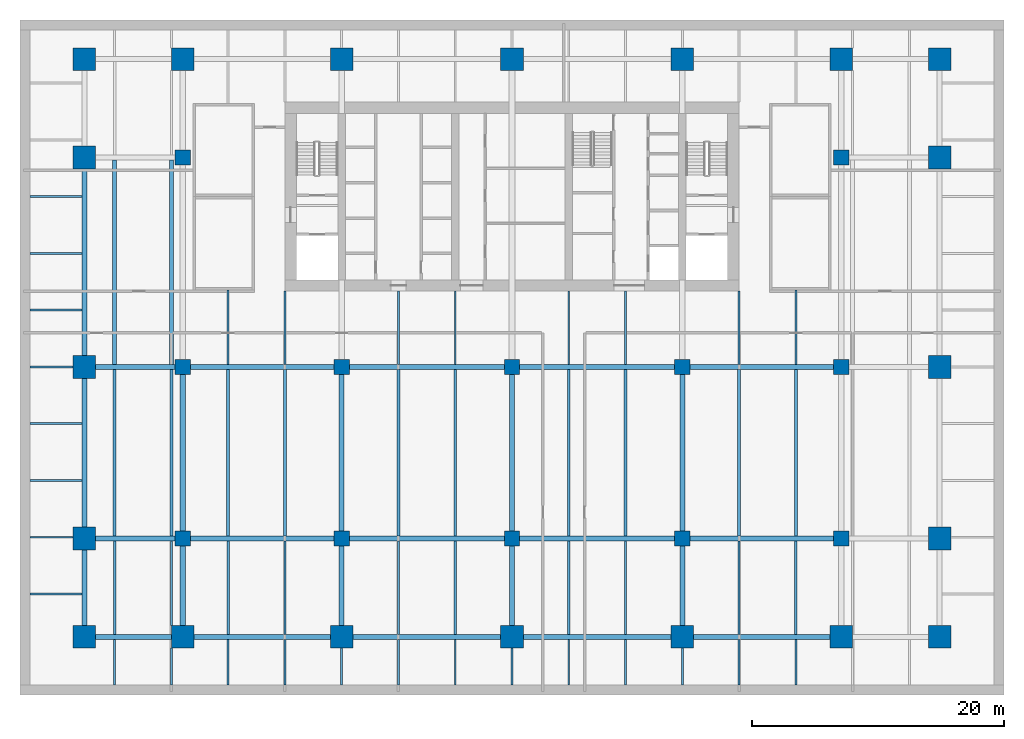
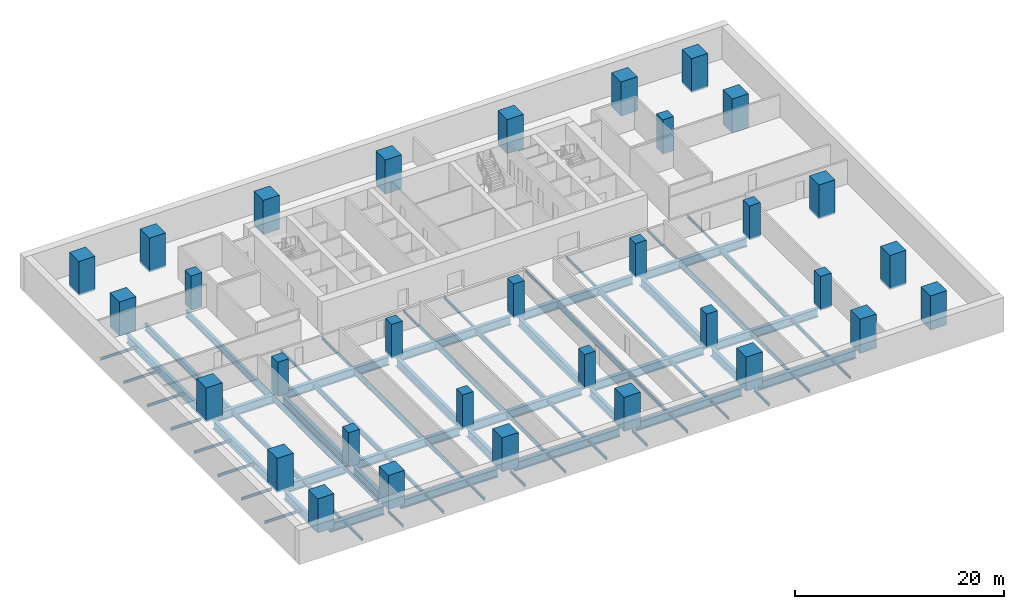
# One storey, part 1 of 10: 77 beams, 32 columns.
"""IFC4 building model written with IfcOpenShell, lengths in metres."""

from ifc_helpers import new_model, si_unit, direction, frame, origin, origin_2d, place, context, subcontext, project, spatial, rectangle, i_section, extrude, material, material_profile, profile_set, type_object, element, save


model = new_model("IFC4")

# Units and contexts
model_context = context("Model", 3, precision=1e-05, world=origin(), true_north=direction((0.0, 1.0)))
body_context = subcontext(model_context, "Body", "Model", "MODEL_VIEW")
ifc_project = project(units=[si_unit("LENGTHUNIT", "METRE"), si_unit("AREAUNIT", "SQUARE_METRE"), si_unit("VOLUMEUNIT", "CUBIC_METRE"), si_unit("PLANEANGLEUNIT", "RADIAN"), si_unit("MASSUNIT", "GRAM", prefix="KILO")], contexts=[model_context])

# Site, building, storey
site_placement = place(None, origin())
site = spatial("IfcSite", under=ifc_project, at=site_placement, CompositionType="ELEMENT")
building_placement = place(site_placement, origin())
building = spatial("IfcBuilding", under=site, at=building_placement, Name="Rattan Terrace Tower", CompositionType="ELEMENT")
storey_placement = place(building_placement, frame((0.0, 0.0, -9.5)))
storey = spatial("IfcBuildingStorey", under=building, at=storey_placement, Name="B2", CompositionType="ELEMENT", Elevation=-9.5)

# Columns
ifc_material_1 = material(Name="Concrete C60/75", Category="concrete")
ifc_material_profile_1 = material_profile(ifc_material_1, rectangle(XDim=1.800048828125, YDim=1.800048828125, at=origin_2d()), Name="CFT 1800x1800")
ifc_profile_set_1 = profile_set([ifc_material_profile_1], Name="Concrete C60/75")
column_type_1 = type_object("IfcColumnType", Name="Frame exoskeleton column CFT 1800x1800", PredefinedType="COLUMN", material=ifc_profile_set_1)
for number, where, z_axis, x_axis, name in (
    (1, (-33.89990234375, -34.89990234375, -0.199951171875), (0.0, 0.0, 1.0), (1.0, 0.0, 0.0), "exo-B2-001"),
    (2, (33.89990234375, -34.89990234375, -0.199951171875), (0.0, 0.0, 1.0), (1.0, 0.0, 0.0), "exo-B2-002"),
    (3, (-33.89990234375, 10.89990234375, -0.199951171875), (0.0, 0.0, 1.0), (1.0, 0.0, 0.0), "exo-B2-003"),
    (4, (33.89990234375, 10.89990234375, -0.199951171875), (0.0, 0.0, 1.0), (1.0, 0.0, 0.0), "exo-B2-004"),
    (5, (-26.10009765625, -34.89990234375, -0.199951171875), (0.0, 0.0, 1.0), (1.0, 0.0, 0.0), "exo-B2-005"),
    (6, (-13.5, -34.89990234375, -0.199951171875), (0.0, 0.0, 1.0), (1.0, 0.0, 0.0), "exo-B2-006"),
    (7, (0.0, -34.89990234375, -0.199951171875), (0.0, 0.0, 1.0), (1.0, 0.0, 0.0), "exo-B2-007"),
    (8, (13.5, -34.89990234375, -0.199951171875), (0.0, 0.0, 1.0), (1.0, 0.0, 0.0), "exo-B2-008"),
    (9, (26.10009765625, -34.89990234375, -0.199951171875), (0.0, 0.0, 1.0), (1.0, 0.0, 0.0), "exo-B2-009"),
    (10, (-33.89990234375, -27.10009765625, -0.199951171875), (0.0, 0.0, 1.0), (0.0, 1.0, 0.0), "exo-B2-010"),
    (11, (33.89990234375, -27.10009765625, -0.199951171875), (0.0, 0.0, 1.0), (0.0, 1.0, 0.0), "exo-B2-011"),
    (12, (-33.89990234375, -13.5, -0.199951171875), (0.0, 0.0, 1.0), (0.0, 1.0, 0.0), "exo-B2-012"),
    (13, (33.89990234375, -13.5, -0.199951171875), (0.0, 0.0, 1.0), (0.0, 1.0, 0.0), "exo-B2-013"),
    (14, (-33.89990234375, 3.10009765625, -0.199951171875), (0.0, 0.0, 1.0), (0.0, 1.0, 0.0), "exo-B2-014"),
    (15, (33.89990234375, 3.10009765625, -0.199951171875), (0.0, 0.0, 1.0), (0.0, 1.0, 0.0), "exo-B2-015"),
    (16, (-26.10009765625, 10.89990234375, -0.199951171875), (0.0, 0.0, 1.0), (1.0, 0.0, 0.0), "exo-B2-016"),
    (17, (-13.5, 10.89990234375, -0.199951171875), (0.0, 0.0, 1.0), (1.0, 0.0, 0.0), "exo-B2-017"),
    (18, (0.0, 10.89990234375, -0.199951171875), (0.0, 0.0, 1.0), (1.0, 0.0, 0.0), "exo-B2-018"),
    (19, (13.5, 10.89990234375, -0.199951171875), (0.0, 0.0, 1.0), (1.0, 0.0, 0.0), "exo-B2-019"),
    (20, (26.10009765625, 10.89990234375, -0.199951171875), (0.0, 0.0, 1.0), (1.0, 0.0, 0.0), "exo-B2-020"),
):
    element("IfcColumn", number, at=place(storey_placement, frame(where, z_axis=z_axis, x_axis=x_axis)), inside=storey, type_object=column_type_1, Name=name, PredefinedType="COLUMN", context=body_context, shape_type="SweptSolid", body=[
        extrude(rectangle(XDim=1.800048828125, YDim=1.800048828125, at=origin_2d()), origin(), (0.0, 0.0, 1.0), 4.0),
    ])
ifc_material_2 = material(Name="Concrete C60/75", Category="concrete")
ifc_material_profile_2 = material_profile(ifc_material_2, rectangle(XDim=1.199951171875, YDim=1.199951171875, at=origin_2d()), Name="RC 1200x1200")
ifc_profile_set_2 = profile_set([ifc_material_profile_2], Name="Concrete C60/75")
column_type_2 = type_object("IfcColumnType", Name="Frame interior column RC 1200x1200", PredefinedType="COLUMN", material=ifc_profile_set_2)
for number, where, z_axis, x_axis, name in (
    (21, (-26.10009765625, -27.10009765625, -0.199951171875), (0.0, 0.0, 1.0), (1.0, 0.0, 0.0), "col-B2-001"),
    (22, (-13.5, -27.10009765625, -0.199951171875), (0.0, 0.0, 1.0), (1.0, 0.0, 0.0), "col-B2-002"),
    (23, (0.0, -27.10009765625, -0.199951171875), (0.0, 0.0, 1.0), (1.0, 0.0, 0.0), "col-B2-003"),
    (24, (13.5, -27.10009765625, -0.199951171875), (0.0, 0.0, 1.0), (1.0, 0.0, 0.0), "col-B2-004"),
    (25, (26.10009765625, -27.10009765625, -0.199951171875), (0.0, 0.0, 1.0), (1.0, 0.0, 0.0), "col-B2-005"),
    (26, (-26.10009765625, -13.5, -0.199951171875), (0.0, 0.0, 1.0), (1.0, 0.0, 0.0), "col-B2-006"),
    (27, (-13.5, -13.5, -0.199951171875), (0.0, 0.0, 1.0), (1.0, 0.0, 0.0), "col-B2-007"),
    (28, (0.0, -13.5, -0.199951171875), (0.0, 0.0, 1.0), (1.0, 0.0, 0.0), "col-B2-008"),
    (29, (13.5, -13.5, -0.199951171875), (0.0, 0.0, 1.0), (1.0, 0.0, 0.0), "col-B2-009"),
    (30, (26.10009765625, -13.5, -0.199951171875), (0.0, 0.0, 1.0), (1.0, 0.0, 0.0), "col-B2-010"),
    (31, (-26.10009765625, 3.10009765625, -0.199951171875), (0.0, 0.0, 1.0), (1.0, 0.0, 0.0), "col-B2-011"),
    (32, (26.10009765625, 3.10009765625, -0.199951171875), (0.0, 0.0, 1.0), (1.0, 0.0, 0.0), "col-B2-012"),
):
    element("IfcColumn", number, at=place(storey_placement, frame(where, z_axis=z_axis, x_axis=x_axis)), inside=storey, type_object=column_type_2, Name=name, PredefinedType="COLUMN", context=body_context, shape_type="SweptSolid", body=[
        extrude(rectangle(XDim=1.199951171875, YDim=1.199951171875, at=origin_2d()), origin(), (0.0, 0.0, 1.0), 4.0),
    ])

# Beams
ifc_material_3 = material(Name="Steel S355", Category="steel")
ifc_material_profile_3 = material_profile(ifc_material_3, i_section(OverallWidth=0.300048828125, OverallDepth=0.800048828125, WebThickness=0.017578125, FlangeThickness=0.032958984375, FilletRadius=0.030029296875, at=origin_2d()), Name="HE 800 B")
ifc_profile_set_3 = profile_set([ifc_material_profile_3], Name="Steel S355")
beam_type_1 = type_object("IfcBeamType", Name="Frame floor beam HE 800 B", PredefinedType="JOIST", material=ifc_profile_set_3)
for number, where, z_axis, x_axis, name in (
    (33, (-31.5, -13.300048828125, -0.60009765625), (0.0, 1.0, 0.0), (-1.0, 0.0, 0.0), "bm-B2-052"),
    (34, (-27.0, -13.300048828125, -0.60009765625), (0.0, 1.0, 0.0), (-1.0, 0.0, 0.0), "bm-B2-053"),
):
    element("IfcBeam", number, at=place(storey_placement, frame(where, z_axis=z_axis, x_axis=x_axis)), inside=storey, type_object=beam_type_1, Name=name, PredefinedType="JOIST", context=body_context, shape_type="SweptSolid", body=[
        extrude(i_section(OverallWidth=0.300048828125, OverallDepth=0.800048828125, WebThickness=0.017578125, FlangeThickness=0.032958984375, FilletRadius=0.030029296875, at=origin_2d()), origin(), (0.0, 0.0, 1.0), 16.199951171875),
    ])
ifc_material_4 = material(Name="Steel S355", Category="steel")
ifc_material_profile_4 = material_profile(ifc_material_4, i_section(OverallWidth=0.14990234375, OverallDepth=0.300048828125, WebThickness=0.007080078125, FlangeThickness=0.0107421875, FilletRadius=0.014892578125, at=origin_2d()), Name="IPE 300")
ifc_profile_set_4 = profile_set([ifc_material_profile_4], Name="Steel S355")
beam_type_2 = type_object("IfcBeamType", Name="Frame floor beam IPE 300", PredefinedType="JOIST", material=ifc_profile_set_4)
beam_1_placement = place(storey_placement, frame((-31.5, -38.699951171875, -0.35009765625), z_axis=(0.0, 1.0, 0.0), x_axis=(-1.0, 0.0, 0.0)))
element("IfcBeam", 35, at=beam_1_placement, inside=storey, type_object=beam_type_2, Name="bm-B2-003", PredefinedType="JOIST", context=body_context, shape_type="SweptSolid", body=[
    extrude(i_section(OverallWidth=0.14990234375, OverallDepth=0.300048828125, WebThickness=0.007080078125, FlangeThickness=0.0107421875, FilletRadius=0.014892578125, at=origin_2d()), origin(), (0.0, 0.0, 1.0), 3.599853515625),
])
beam_2_placement = place(storey_placement, frame((-27.0, -38.699951171875, -0.35009765625), z_axis=(0.0, 1.0, 0.0), x_axis=(-1.0, 0.0, 0.0)))
element("IfcBeam", 36, at=beam_2_placement, inside=storey, type_object=beam_type_2, Name="bm-B2-004", PredefinedType="JOIST", context=body_context, shape_type="SweptSolid", body=[
    extrude(i_section(OverallWidth=0.14990234375, OverallDepth=0.300048828125, WebThickness=0.007080078125, FlangeThickness=0.0107421875, FilletRadius=0.014892578125, at=origin_2d()), origin(), (0.0, 0.0, 1.0), 2.89990234375),
])
for number, where, z_axis, x_axis, name in (
    (37, (-22.5, -38.699951171875, -0.35009765625), (0.0, 1.0, 0.0), (-1.0, 0.0, 0.0), "bm-B2-005"),
    (38, (-18.0, -38.699951171875, -0.35009765625), (0.0, 1.0, 0.0), (-1.0, 0.0, 0.0), "bm-B2-006"),
):
    element("IfcBeam", number, at=place(storey_placement, frame(where, z_axis=z_axis, x_axis=x_axis)), inside=storey, type_object=beam_type_2, Name=name, PredefinedType="JOIST", context=body_context, shape_type="SweptSolid", body=[
        extrude(i_section(OverallWidth=0.14990234375, OverallDepth=0.300048828125, WebThickness=0.007080078125, FlangeThickness=0.0107421875, FilletRadius=0.014892578125, at=origin_2d()), origin(), (0.0, 0.0, 1.0), 3.599853515625),
    ])
beam_3_placement = place(storey_placement, frame((-13.5, -38.699951171875, -0.35009765625), z_axis=(0.0, 1.0, 0.0), x_axis=(-1.0, 0.0, 0.0)))
element("IfcBeam", 39, at=beam_3_placement, inside=storey, type_object=beam_type_2, Name="bm-B2-007", PredefinedType="JOIST", context=body_context, shape_type="SweptSolid", body=[
    extrude(i_section(OverallWidth=0.14990234375, OverallDepth=0.300048828125, WebThickness=0.007080078125, FlangeThickness=0.0107421875, FilletRadius=0.014892578125, at=origin_2d()), origin(), (0.0, 0.0, 1.0), 2.89990234375),
])
for number, where, z_axis, x_axis, name in (
    (40, (-9.0, -38.699951171875, -0.35009765625), (0.0, 1.0, 0.0), (-1.0, 0.0, 0.0), "bm-B2-008"),
    (41, (-4.5, -38.699951171875, -0.35009765625), (0.0, 1.0, 0.0), (-1.0, 0.0, 0.0), "bm-B2-009"),
):
    element("IfcBeam", number, at=place(storey_placement, frame(where, z_axis=z_axis, x_axis=x_axis)), inside=storey, type_object=beam_type_2, Name=name, PredefinedType="JOIST", context=body_context, shape_type="SweptSolid", body=[
        extrude(i_section(OverallWidth=0.14990234375, OverallDepth=0.300048828125, WebThickness=0.007080078125, FlangeThickness=0.0107421875, FilletRadius=0.014892578125, at=origin_2d()), origin(), (0.0, 0.0, 1.0), 3.599853515625),
    ])
beam_4_placement = place(storey_placement, frame((0.0, -38.699951171875, -0.35009765625), z_axis=(0.0, 1.0, 0.0), x_axis=(-1.0, 0.0, 0.0)))
element("IfcBeam", 42, at=beam_4_placement, inside=storey, type_object=beam_type_2, Name="bm-B2-010", PredefinedType="JOIST", context=body_context, shape_type="SweptSolid", body=[
    extrude(i_section(OverallWidth=0.14990234375, OverallDepth=0.300048828125, WebThickness=0.007080078125, FlangeThickness=0.0107421875, FilletRadius=0.014892578125, at=origin_2d()), origin(), (0.0, 0.0, 1.0), 2.89990234375),
])
for number, where, z_axis, x_axis, name in (
    (43, (4.5, -38.699951171875, -0.35009765625), (0.0, 1.0, 0.0), (-1.0, 0.0, 0.0), "bm-B2-011"),
    (44, (9.0, -38.699951171875, -0.35009765625), (0.0, 1.0, 0.0), (-1.0, 0.0, 0.0), "bm-B2-012"),
):
    element("IfcBeam", number, at=place(storey_placement, frame(where, z_axis=z_axis, x_axis=x_axis)), inside=storey, type_object=beam_type_2, Name=name, PredefinedType="JOIST", context=body_context, shape_type="SweptSolid", body=[
        extrude(i_section(OverallWidth=0.14990234375, OverallDepth=0.300048828125, WebThickness=0.007080078125, FlangeThickness=0.0107421875, FilletRadius=0.014892578125, at=origin_2d()), origin(), (0.0, 0.0, 1.0), 3.599853515625),
    ])
beam_5_placement = place(storey_placement, frame((13.5, -38.699951171875, -0.35009765625), z_axis=(0.0, 1.0, 0.0), x_axis=(-1.0, 0.0, 0.0)))
element("IfcBeam", 45, at=beam_5_placement, inside=storey, type_object=beam_type_2, Name="bm-B2-013", PredefinedType="JOIST", context=body_context, shape_type="SweptSolid", body=[
    extrude(i_section(OverallWidth=0.14990234375, OverallDepth=0.300048828125, WebThickness=0.007080078125, FlangeThickness=0.0107421875, FilletRadius=0.014892578125, at=origin_2d()), origin(), (0.0, 0.0, 1.0), 2.89990234375),
])
for number, where, z_axis, x_axis, name in (
    (46, (18.0, -38.699951171875, -0.35009765625), (0.0, 1.0, 0.0), (-1.0, 0.0, 0.0), "bm-B2-014"),
    (47, (22.5, -38.699951171875, -0.35009765625), (0.0, 1.0, 0.0), (-1.0, 0.0, 0.0), "bm-B2-015"),
):
    element("IfcBeam", number, at=place(storey_placement, frame(where, z_axis=z_axis, x_axis=x_axis)), inside=storey, type_object=beam_type_2, Name=name, PredefinedType="JOIST", context=body_context, shape_type="SweptSolid", body=[
        extrude(i_section(OverallWidth=0.14990234375, OverallDepth=0.300048828125, WebThickness=0.007080078125, FlangeThickness=0.0107421875, FilletRadius=0.014892578125, at=origin_2d()), origin(), (0.0, 0.0, 1.0), 3.599853515625),
    ])
beam_6_placement = place(storey_placement, frame((-38.199951171875, -31.5, -0.35009765625), z_axis=(1.0, 0.0, 0.0), x_axis=(0.0, 1.0, 0.0)))
element("IfcBeam", 48, at=beam_6_placement, inside=storey, type_object=beam_type_2, Name="bm-B2-030", PredefinedType="JOIST", context=body_context, shape_type="SweptSolid", body=[
    extrude(i_section(OverallWidth=0.14990234375, OverallDepth=0.300048828125, WebThickness=0.007080078125, FlangeThickness=0.0107421875, FilletRadius=0.014892578125, at=origin_2d()), origin(), (0.0, 0.0, 1.0), 4.099853515625),
])
beam_7_placement = place(storey_placement, frame((-38.199951171875, -27.0, -0.35009765625), z_axis=(1.0, 0.0, 0.0), x_axis=(0.0, 1.0, 0.0)))
element("IfcBeam", 49, at=beam_7_placement, inside=storey, type_object=beam_type_2, Name="bm-B2-032", PredefinedType="JOIST", context=body_context, shape_type="SweptSolid", body=[
    extrude(i_section(OverallWidth=0.14990234375, OverallDepth=0.300048828125, WebThickness=0.007080078125, FlangeThickness=0.0107421875, FilletRadius=0.014892578125, at=origin_2d()), origin(), (0.0, 0.0, 1.0), 3.39990234375),
])
for number, where, z_axis, x_axis, name in (
    (50, (-38.199951171875, -22.5, -0.35009765625), (1.0, 0.0, 0.0), (0.0, 1.0, 0.0), "bm-B2-046"),
    (51, (-38.199951171875, -18.0, -0.35009765625), (1.0, 0.0, 0.0), (0.0, 1.0, 0.0), "bm-B2-048"),
):
    element("IfcBeam", number, at=place(storey_placement, frame(where, z_axis=z_axis, x_axis=x_axis)), inside=storey, type_object=beam_type_2, Name=name, PredefinedType="JOIST", context=body_context, shape_type="SweptSolid", body=[
        extrude(i_section(OverallWidth=0.14990234375, OverallDepth=0.300048828125, WebThickness=0.007080078125, FlangeThickness=0.0107421875, FilletRadius=0.014892578125, at=origin_2d()), origin(), (0.0, 0.0, 1.0), 4.099853515625),
    ])
beam_8_placement = place(storey_placement, frame((-38.199951171875, -13.5, -0.35009765625), z_axis=(1.0, 0.0, 0.0), x_axis=(0.0, 1.0, 0.0)))
element("IfcBeam", 52, at=beam_8_placement, inside=storey, type_object=beam_type_2, Name="bm-B2-050", PredefinedType="JOIST", context=body_context, shape_type="SweptSolid", body=[
    extrude(i_section(OverallWidth=0.14990234375, OverallDepth=0.300048828125, WebThickness=0.007080078125, FlangeThickness=0.0107421875, FilletRadius=0.014892578125, at=origin_2d()), origin(), (0.0, 0.0, 1.0), 3.39990234375),
])
beam_9_placement = place(storey_placement, frame((-22.5, -13.300048828125, -0.35009765625), z_axis=(0.0, 1.0, 0.0), x_axis=(-1.0, 0.0, 0.0)))
element("IfcBeam", 53, at=beam_9_placement, inside=storey, type_object=beam_type_2, Name="bm-B2-054", PredefinedType="JOIST", context=body_context, shape_type="SweptSolid", body=[
    extrude(i_section(OverallWidth=0.14990234375, OverallDepth=0.300048828125, WebThickness=0.007080078125, FlangeThickness=0.0107421875, FilletRadius=0.014892578125, at=origin_2d()), origin(), (0.0, 0.0, 1.0), 5.900146484375),
])
for number, where, z_axis, x_axis, name in (
    (54, (-18.0, -13.300048828125, -0.35009765625), (0.0, 1.0, 0.0), (-1.0, 0.0, 0.0), "bm-B2-055"),
    (55, (-9.0, -13.300048828125, -0.35009765625), (0.0, 1.0, 0.0), (-1.0, 0.0, 0.0), "bm-B2-056"),
    (56, (-4.5, -13.300048828125, -0.35009765625), (0.0, 1.0, 0.0), (-1.0, 0.0, 0.0), "bm-B2-057"),
    (57, (4.5, -13.300048828125, -0.35009765625), (0.0, 1.0, 0.0), (-1.0, 0.0, 0.0), "bm-B2-058"),
    (58, (9.0, -13.300048828125, -0.35009765625), (0.0, 1.0, 0.0), (-1.0, 0.0, 0.0), "bm-B2-059"),
    (59, (18.0, -13.300048828125, -0.35009765625), (0.0, 1.0, 0.0), (-1.0, 0.0, 0.0), "bm-B2-060"),
):
    element("IfcBeam", number, at=place(storey_placement, frame(where, z_axis=z_axis, x_axis=x_axis)), inside=storey, type_object=beam_type_2, Name=name, PredefinedType="JOIST", context=body_context, shape_type="SweptSolid", body=[
        extrude(i_section(OverallWidth=0.14990234375, OverallDepth=0.300048828125, WebThickness=0.007080078125, FlangeThickness=0.0107421875, FilletRadius=0.014892578125, at=origin_2d()), origin(), (0.0, 0.0, 1.0), 5.800048828125),
    ])
beam_10_placement = place(storey_placement, frame((22.5, -13.300048828125, -0.35009765625), z_axis=(0.0, 1.0, 0.0), x_axis=(-1.0, 0.0, 0.0)))
element("IfcBeam", 60, at=beam_10_placement, inside=storey, type_object=beam_type_2, Name="bm-B2-061", PredefinedType="JOIST", context=body_context, shape_type="SweptSolid", body=[
    extrude(i_section(OverallWidth=0.14990234375, OverallDepth=0.300048828125, WebThickness=0.007080078125, FlangeThickness=0.0107421875, FilletRadius=0.014892578125, at=origin_2d()), origin(), (0.0, 0.0, 1.0), 5.900146484375),
])
for number, where, z_axis, x_axis, name in (
    (61, (-38.199951171875, -9.0, -0.35009765625), (1.0, 0.0, 0.0), (0.0, 1.0, 0.0), "bm-B2-064"),
    (62, (-38.199951171875, -4.5, -0.35009765625), (1.0, 0.0, 0.0), (0.0, 1.0, 0.0), "bm-B2-066"),
    (63, (-38.199951171875, 0.0, -0.35009765625), (1.0, 0.0, 0.0), (0.0, 1.0, 0.0), "bm-B2-068"),
):
    element("IfcBeam", number, at=place(storey_placement, frame(where, z_axis=z_axis, x_axis=x_axis)), inside=storey, type_object=beam_type_2, Name=name, PredefinedType="JOIST", context=body_context, shape_type="SweptSolid", body=[
        extrude(i_section(OverallWidth=0.14990234375, OverallDepth=0.300048828125, WebThickness=0.007080078125, FlangeThickness=0.0107421875, FilletRadius=0.014892578125, at=origin_2d()), origin(), (0.0, 0.0, 1.0), 4.099853515625),
    ])
ifc_material_5 = material(Name="Steel S355", Category="steel")
ifc_material_profile_5 = material_profile(ifc_material_5, i_section(OverallWidth=0.169921875, OverallDepth=0.360107421875, WebThickness=0.008056640625, FlangeThickness=0.0126953125, FilletRadius=0.01806640625, at=origin_2d()), Name="IPE 360")
ifc_profile_set_5 = profile_set([ifc_material_profile_5], Name="Steel S355")
beam_type_3 = type_object("IfcBeamType", Name="Frame floor beam IPE 360", PredefinedType="JOIST", material=ifc_profile_set_5)
beam_11_placement = place(storey_placement, frame((-27.0, -34.0, -0.3798828125), z_axis=(0.0, 1.0, 0.0), x_axis=(-1.0, 0.0, 0.0)))
element("IfcBeam", 64, at=beam_11_placement, inside=storey, type_object=beam_type_3, Name="bm-B2-028", PredefinedType="JOIST", context=body_context, shape_type="SweptSolid", body=[
    extrude(i_section(OverallWidth=0.169921875, OverallDepth=0.360107421875, WebThickness=0.008056640625, FlangeThickness=0.0126953125, FilletRadius=0.01806640625, at=origin_2d()), origin(), (0.0, 0.0, 1.0), 6.699951171875),
])
ifc_material_6 = material(Name="Steel S355", Category="steel")
ifc_material_profile_6 = material_profile(ifc_material_6, i_section(OverallWidth=0.179931640625, OverallDepth=0.39990234375, WebThickness=0.008544921875, FlangeThickness=0.013427734375, FilletRadius=0.02099609375, at=origin_2d()), Name="IPE 400")
ifc_profile_set_6 = profile_set([ifc_material_profile_6], Name="Steel S355")
beam_type_4 = type_object("IfcBeamType", Name="Frame floor beam IPE 400", PredefinedType="JOIST", material=ifc_profile_set_6)
for number, where, z_axis, x_axis, name in (
    (65, (-31.5, -34.699951171875, -0.39990234375), (0.0, 1.0, 0.0), (-1.0, 0.0, 0.0), "bm-B2-018"),
    (66, (-22.5, -34.699951171875, -0.39990234375), (0.0, 1.0, 0.0), (-1.0, 0.0, 0.0), "bm-B2-019"),
    (67, (-18.0, -34.699951171875, -0.39990234375), (0.0, 1.0, 0.0), (-1.0, 0.0, 0.0), "bm-B2-020"),
    (68, (-9.0, -34.699951171875, -0.39990234375), (0.0, 1.0, 0.0), (-1.0, 0.0, 0.0), "bm-B2-021"),
    (69, (-4.5, -34.699951171875, -0.39990234375), (0.0, 1.0, 0.0), (-1.0, 0.0, 0.0), "bm-B2-022"),
    (70, (4.5, -34.699951171875, -0.39990234375), (0.0, 1.0, 0.0), (-1.0, 0.0, 0.0), "bm-B2-023"),
    (71, (9.0, -34.699951171875, -0.39990234375), (0.0, 1.0, 0.0), (-1.0, 0.0, 0.0), "bm-B2-024"),
    (72, (18.0, -34.699951171875, -0.39990234375), (0.0, 1.0, 0.0), (-1.0, 0.0, 0.0), "bm-B2-025"),
    (73, (22.5, -34.699951171875, -0.39990234375), (0.0, 1.0, 0.0), (-1.0, 0.0, 0.0), "bm-B2-026"),
):
    element("IfcBeam", number, at=place(storey_placement, frame(where, z_axis=z_axis, x_axis=x_axis)), inside=storey, type_object=beam_type_4, Name=name, PredefinedType="JOIST", context=body_context, shape_type="SweptSolid", body=[
        extrude(i_section(OverallWidth=0.179931640625, OverallDepth=0.39990234375, WebThickness=0.008544921875, FlangeThickness=0.013427734375, FilletRadius=0.02099609375, at=origin_2d()), origin(), (0.0, 0.0, 1.0), 7.39990234375),
    ])
ifc_material_7 = material(Name="Steel S355", Category="steel")
ifc_material_profile_7 = material_profile(ifc_material_7, i_section(OverallWidth=0.22412109375, OverallDepth=0.610107421875, WebThickness=0.014892578125, FlangeThickness=0.02392578125, FilletRadius=0.02392578125, at=origin_2d()), Name="IPE O 600")
ifc_profile_set_7 = profile_set([ifc_material_profile_7], Name="Steel S355")
beam_type_5 = type_object("IfcBeamType", Name="Frame floor beam IPE O 600", PredefinedType="JOIST", material=ifc_profile_set_7)
for number, where, z_axis, x_axis, name in (
    (74, (-31.5, -26.89990234375, -0.5048828125), (0.0, 1.0, 0.0), (-1.0, 0.0, 0.0), "bm-B2-034"),
    (75, (-27.0, -26.89990234375, -0.5048828125), (0.0, 1.0, 0.0), (-1.0, 0.0, 0.0), "bm-B2-035"),
    (76, (-22.5, -26.89990234375, -0.5048828125), (0.0, 1.0, 0.0), (-1.0, 0.0, 0.0), "bm-B2-036"),
    (77, (-18.0, -26.89990234375, -0.5048828125), (0.0, 1.0, 0.0), (-1.0, 0.0, 0.0), "bm-B2-037"),
    (78, (-9.0, -26.89990234375, -0.5048828125), (0.0, 1.0, 0.0), (-1.0, 0.0, 0.0), "bm-B2-038"),
    (79, (-4.5, -26.89990234375, -0.5048828125), (0.0, 1.0, 0.0), (-1.0, 0.0, 0.0), "bm-B2-039"),
    (80, (4.5, -26.89990234375, -0.5048828125), (0.0, 1.0, 0.0), (-1.0, 0.0, 0.0), "bm-B2-040"),
    (81, (9.0, -26.89990234375, -0.5048828125), (0.0, 1.0, 0.0), (-1.0, 0.0, 0.0), "bm-B2-041"),
    (82, (18.0, -26.89990234375, -0.5048828125), (0.0, 1.0, 0.0), (-1.0, 0.0, 0.0), "bm-B2-042"),
    (83, (22.5, -26.89990234375, -0.5048828125), (0.0, 1.0, 0.0), (-1.0, 0.0, 0.0), "bm-B2-043"),
):
    element("IfcBeam", number, at=place(storey_placement, frame(where, z_axis=z_axis, x_axis=x_axis)), inside=storey, type_object=beam_type_5, Name=name, PredefinedType="JOIST", context=body_context, shape_type="SweptSolid", body=[
        extrude(i_section(OverallWidth=0.22412109375, OverallDepth=0.610107421875, WebThickness=0.014892578125, FlangeThickness=0.02392578125, FilletRadius=0.02392578125, at=origin_2d()), origin(), (0.0, 0.0, 1.0), 13.199951171875),
    ])
ifc_material_8 = material(Name="Steel S460", Category="steel")
ifc_material_profile_8 = material_profile(ifc_material_8, i_section(OverallWidth=0.39990234375, OverallDepth=1.0, WebThickness=0.01806640625, FlangeThickness=0.044921875, at=origin_2d()), Name="PG 1000x400-18-45")
ifc_profile_set_8 = profile_set([ifc_material_profile_8], Name="Steel S460")
beam_type_6 = type_object("IfcBeamType", Name="Frame podium girder PG 1000x400-18-45", PredefinedType="USERDEFINED", material=ifc_profile_set_8)
beam_12_placement = place(storey_placement, frame((-33.0, -34.89990234375, -0.699951171875), z_axis=(1.0, 0.0, 0.0), x_axis=(0.0, 1.0, 0.0)))
element("IfcBeam", 84, at=beam_12_placement, inside=storey, type_object=beam_type_6, Name="gdr-B2-001", ObjectType="PODIUM GIRDER", PredefinedType="USERDEFINED", context=body_context, shape_type="SweptSolid", body=[
    extrude(i_section(OverallWidth=0.39990234375, OverallDepth=1.0, WebThickness=0.01806640625, FlangeThickness=0.044921875, at=origin_2d()), origin(), (0.0, 0.0, 1.0), 6.0),
])
beam_13_placement = place(storey_placement, frame((-25.199951171875, -34.89990234375, -0.699951171875), z_axis=(1.0, 0.0, 0.0), x_axis=(0.0, 1.0, 0.0)))
element("IfcBeam", 85, at=beam_13_placement, inside=storey, type_object=beam_type_6, Name="gdr-B2-002", ObjectType="PODIUM GIRDER", PredefinedType="USERDEFINED", context=body_context, shape_type="SweptSolid", body=[
    extrude(i_section(OverallWidth=0.39990234375, OverallDepth=1.0, WebThickness=0.01806640625, FlangeThickness=0.044921875, at=origin_2d()), origin(), (0.0, 0.0, 1.0), 10.800048828125),
])
for number, where, z_axis, x_axis, name in (
    (86, (-12.60009765625, -34.89990234375, -0.699951171875), (1.0, 0.0, 0.0), (0.0, 1.0, 0.0), "gdr-B2-003"),
    (87, (0.89990234375, -34.89990234375, -0.699951171875), (1.0, 0.0, 0.0), (0.0, 1.0, 0.0), "gdr-B2-004"),
):
    element("IfcBeam", number, at=place(storey_placement, frame(where, z_axis=z_axis, x_axis=x_axis)), inside=storey, type_object=beam_type_6, Name=name, ObjectType="PODIUM GIRDER", PredefinedType="USERDEFINED", context=body_context, shape_type="SweptSolid", body=[
        extrude(i_section(OverallWidth=0.39990234375, OverallDepth=1.0, WebThickness=0.01806640625, FlangeThickness=0.044921875, at=origin_2d()), origin(), (0.0, 0.0, 1.0), 11.7001953125),
    ])
beam_14_placement = place(storey_placement, frame((14.39990234375, -34.89990234375, -0.699951171875), z_axis=(1.0, 0.0, 0.0), x_axis=(0.0, 1.0, 0.0)))
element("IfcBeam", 88, at=beam_14_placement, inside=storey, type_object=beam_type_6, Name="gdr-B2-005", ObjectType="PODIUM GIRDER", PredefinedType="USERDEFINED", context=body_context, shape_type="SweptSolid", body=[
    extrude(i_section(OverallWidth=0.39990234375, OverallDepth=1.0, WebThickness=0.01806640625, FlangeThickness=0.044921875, at=origin_2d()), origin(), (0.0, 0.0, 1.0), 10.800048828125),
])
beam_15_placement = place(storey_placement, frame((-33.89990234375, -34.0, -0.699951171875), z_axis=(0.0, 1.0, 0.0), x_axis=(-1.0, 0.0, 0.0)))
element("IfcBeam", 89, at=beam_15_placement, inside=storey, type_object=beam_type_6, Name="gdr-B2-007", ObjectType="PODIUM GIRDER", PredefinedType="USERDEFINED", context=body_context, shape_type="SweptSolid", body=[
    extrude(i_section(OverallWidth=0.39990234375, OverallDepth=1.0, WebThickness=0.01806640625, FlangeThickness=0.044921875, at=origin_2d()), origin(), (0.0, 0.0, 1.0), 6.0),
])
for number, where, z_axis, x_axis, name in (
    (90, (-26.10009765625, -34.0, -0.699951171875), (0.0, 1.0, 0.0), (-1.0, 0.0, 0.0), "gdr-B2-008"),
    (91, (-13.5, -34.0, -0.699951171875), (0.0, 1.0, 0.0), (-1.0, 0.0, 0.0), "gdr-B2-009"),
    (92, (0.0, -34.0, -0.699951171875), (0.0, 1.0, 0.0), (-1.0, 0.0, 0.0), "gdr-B2-010"),
    (93, (13.5, -34.0, -0.699951171875), (0.0, 1.0, 0.0), (-1.0, 0.0, 0.0), "gdr-B2-011"),
    (94, (-33.0, -27.10009765625, -0.699951171875), (1.0, 0.0, 0.0), (0.0, 1.0, 0.0), "gdr-B2-014"),
):
    element("IfcBeam", number, at=place(storey_placement, frame(where, z_axis=z_axis, x_axis=x_axis)), inside=storey, type_object=beam_type_6, Name=name, ObjectType="PODIUM GIRDER", PredefinedType="USERDEFINED", context=body_context, shape_type="SweptSolid", body=[
        extrude(i_section(OverallWidth=0.39990234375, OverallDepth=1.0, WebThickness=0.01806640625, FlangeThickness=0.044921875, at=origin_2d()), origin(), (0.0, 0.0, 1.0), 6.300048828125),
    ])
beam_16_placement = place(storey_placement, frame((-25.5, -27.10009765625, -0.699951171875), z_axis=(1.0, 0.0, 0.0), x_axis=(0.0, 1.0, 0.0)))
element("IfcBeam", 95, at=beam_16_placement, inside=storey, type_object=beam_type_6, Name="gdr-B2-015", ObjectType="PODIUM GIRDER", PredefinedType="USERDEFINED", context=body_context, shape_type="SweptSolid", body=[
    extrude(i_section(OverallWidth=0.39990234375, OverallDepth=1.0, WebThickness=0.01806640625, FlangeThickness=0.044921875, at=origin_2d()), origin(), (0.0, 0.0, 1.0), 11.39990234375),
])
for number, where, z_axis, x_axis, name in (
    (96, (-12.89990234375, -27.10009765625, -0.699951171875), (1.0, 0.0, 0.0), (0.0, 1.0, 0.0), "gdr-B2-016"),
    (97, (0.60009765625, -27.10009765625, -0.699951171875), (1.0, 0.0, 0.0), (0.0, 1.0, 0.0), "gdr-B2-017"),
):
    element("IfcBeam", number, at=place(storey_placement, frame(where, z_axis=z_axis, x_axis=x_axis)), inside=storey, type_object=beam_type_6, Name=name, ObjectType="PODIUM GIRDER", PredefinedType="USERDEFINED", context=body_context, shape_type="SweptSolid", body=[
        extrude(i_section(OverallWidth=0.39990234375, OverallDepth=1.0, WebThickness=0.01806640625, FlangeThickness=0.044921875, at=origin_2d()), origin(), (0.0, 0.0, 1.0), 12.2998046875),
    ])
beam_17_placement = place(storey_placement, frame((14.10009765625, -27.10009765625, -0.699951171875), z_axis=(1.0, 0.0, 0.0), x_axis=(0.0, 1.0, 0.0)))
element("IfcBeam", 98, at=beam_17_placement, inside=storey, type_object=beam_type_6, Name="gdr-B2-018", ObjectType="PODIUM GIRDER", PredefinedType="USERDEFINED", context=body_context, shape_type="SweptSolid", body=[
    extrude(i_section(OverallWidth=0.39990234375, OverallDepth=1.0, WebThickness=0.01806640625, FlangeThickness=0.044921875, at=origin_2d()), origin(), (0.0, 0.0, 1.0), 11.39990234375),
])
for number, where, z_axis, x_axis, name in (
    (99, (-26.10009765625, -26.5, -0.699951171875), (0.0, 1.0, 0.0), (-1.0, 0.0, 0.0), "gdr-B2-020"),
    (100, (-13.5, -26.5, -0.699951171875), (0.0, 1.0, 0.0), (-1.0, 0.0, 0.0), "gdr-B2-021"),
    (101, (0.0, -26.5, -0.699951171875), (0.0, 1.0, 0.0), (-1.0, 0.0, 0.0), "gdr-B2-022"),
    (102, (13.5, -26.5, -0.699951171875), (0.0, 1.0, 0.0), (-1.0, 0.0, 0.0), "gdr-B2-023"),
):
    element("IfcBeam", number, at=place(storey_placement, frame(where, z_axis=z_axis, x_axis=x_axis)), inside=storey, type_object=beam_type_6, Name=name, ObjectType="PODIUM GIRDER", PredefinedType="USERDEFINED", context=body_context, shape_type="SweptSolid", body=[
        extrude(i_section(OverallWidth=0.39990234375, OverallDepth=1.0, WebThickness=0.01806640625, FlangeThickness=0.044921875, at=origin_2d()), origin(), (0.0, 0.0, 1.0), 12.39990234375),
    ])
beam_18_placement = place(storey_placement, frame((-33.89990234375, -26.199951171875, -0.699951171875), z_axis=(0.0, 1.0, 0.0), x_axis=(-1.0, 0.0, 0.0)))
element("IfcBeam", 103, at=beam_18_placement, inside=storey, type_object=beam_type_6, Name="gdr-B2-025", ObjectType="PODIUM GIRDER", PredefinedType="USERDEFINED", context=body_context, shape_type="SweptSolid", body=[
    extrude(i_section(OverallWidth=0.39990234375, OverallDepth=1.0, WebThickness=0.01806640625, FlangeThickness=0.044921875, at=origin_2d()), origin(), (0.0, 0.0, 1.0), 11.800048828125),
])
beam_19_placement = place(storey_placement, frame((-33.0, -13.5, -0.699951171875), z_axis=(1.0, 0.0, 0.0), x_axis=(0.0, 1.0, 0.0)))
element("IfcBeam", 104, at=beam_19_placement, inside=storey, type_object=beam_type_6, Name="gdr-B2-027", ObjectType="PODIUM GIRDER", PredefinedType="USERDEFINED", context=body_context, shape_type="SweptSolid", body=[
    extrude(i_section(OverallWidth=0.39990234375, OverallDepth=1.0, WebThickness=0.01806640625, FlangeThickness=0.044921875, at=origin_2d()), origin(), (0.0, 0.0, 1.0), 6.300048828125),
])
beam_20_placement = place(storey_placement, frame((-25.5, -13.5, -0.699951171875), z_axis=(1.0, 0.0, 0.0), x_axis=(0.0, 1.0, 0.0)))
element("IfcBeam", 105, at=beam_20_placement, inside=storey, type_object=beam_type_6, Name="gdr-B2-028", ObjectType="PODIUM GIRDER", PredefinedType="USERDEFINED", context=body_context, shape_type="SweptSolid", body=[
    extrude(i_section(OverallWidth=0.39990234375, OverallDepth=1.0, WebThickness=0.01806640625, FlangeThickness=0.044921875, at=origin_2d()), origin(), (0.0, 0.0, 1.0), 11.39990234375),
])
for number, where, z_axis, x_axis, name in (
    (106, (-12.89990234375, -13.5, -0.699951171875), (1.0, 0.0, 0.0), (0.0, 1.0, 0.0), "gdr-B2-029"),
    (107, (0.60009765625, -13.5, -0.699951171875), (1.0, 0.0, 0.0), (0.0, 1.0, 0.0), "gdr-B2-030"),
):
    element("IfcBeam", number, at=place(storey_placement, frame(where, z_axis=z_axis, x_axis=x_axis)), inside=storey, type_object=beam_type_6, Name=name, ObjectType="PODIUM GIRDER", PredefinedType="USERDEFINED", context=body_context, shape_type="SweptSolid", body=[
        extrude(i_section(OverallWidth=0.39990234375, OverallDepth=1.0, WebThickness=0.01806640625, FlangeThickness=0.044921875, at=origin_2d()), origin(), (0.0, 0.0, 1.0), 12.2998046875),
    ])
beam_21_placement = place(storey_placement, frame((14.10009765625, -13.5, -0.699951171875), z_axis=(1.0, 0.0, 0.0), x_axis=(0.0, 1.0, 0.0)))
element("IfcBeam", 108, at=beam_21_placement, inside=storey, type_object=beam_type_6, Name="gdr-B2-031", ObjectType="PODIUM GIRDER", PredefinedType="USERDEFINED", context=body_context, shape_type="SweptSolid", body=[
    extrude(i_section(OverallWidth=0.39990234375, OverallDepth=1.0, WebThickness=0.01806640625, FlangeThickness=0.044921875, at=origin_2d()), origin(), (0.0, 0.0, 1.0), 11.39990234375),
])
beam_22_placement = place(storey_placement, frame((-33.89990234375, -12.60009765625, -0.699951171875), z_axis=(0.0, 1.0, 0.0), x_axis=(-1.0, 0.0, 0.0)))
element("IfcBeam", 109, at=beam_22_placement, inside=storey, type_object=beam_type_6, Name="gdr-B2-038", ObjectType="PODIUM GIRDER", PredefinedType="USERDEFINED", context=body_context, shape_type="SweptSolid", body=[
    extrude(i_section(OverallWidth=0.39990234375, OverallDepth=1.0, WebThickness=0.01806640625, FlangeThickness=0.044921875, at=origin_2d()), origin(), (0.0, 0.0, 1.0), 14.800048828125),
])

save(model, "model.ifc")
